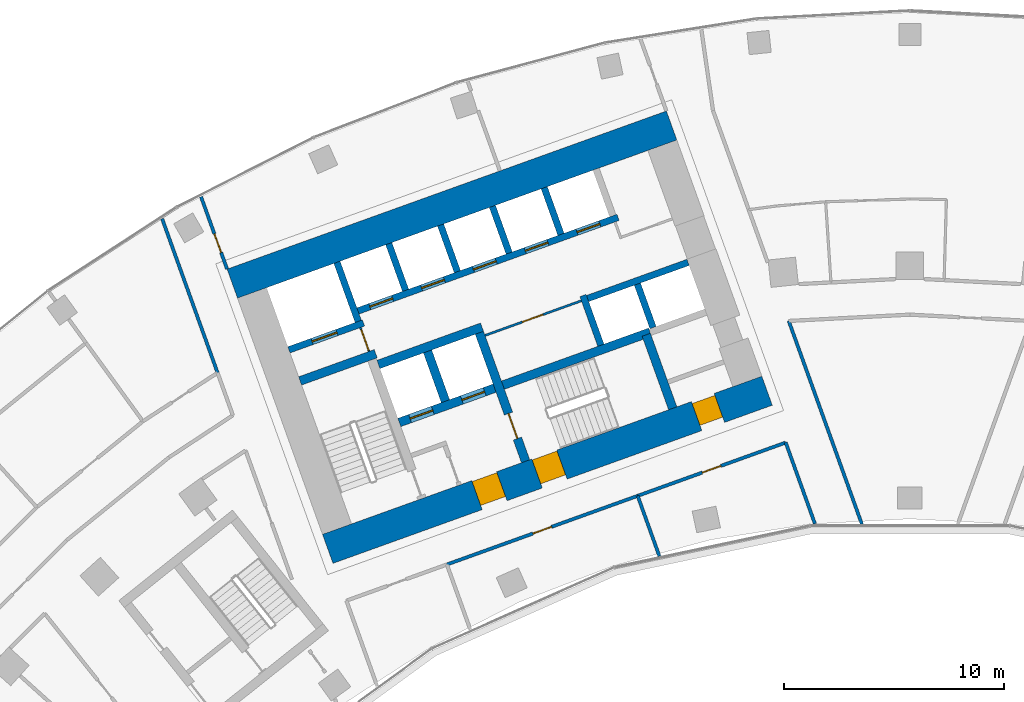
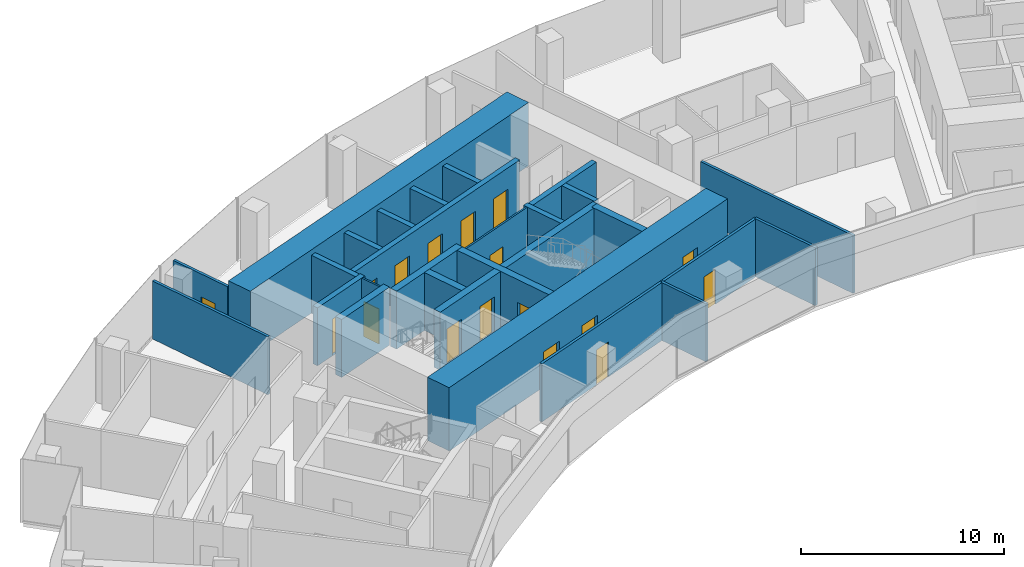
# One storey, part 14 of 20: 27 walls, 17 doors, 17 openings.
"""IFC4 building model written with IfcOpenShell, lengths in metres."""

from ifc_helpers import new_model, si_unit, direction, frame, frame_2d, origin, place, context, subcontext, project, spatial, rectangle, extrude, material, layer, layer_set, type_object, element, fill, save


model = new_model("IFC4")

# Units and contexts
model_context = context("Model", 3, precision=1e-05, world=origin(), true_north=direction((0.0, 1.0)))
body_context = subcontext(model_context, "Body", "Model", "MODEL_VIEW")
ifc_project = project(units=[si_unit("LENGTHUNIT", "METRE"), si_unit("AREAUNIT", "SQUARE_METRE"), si_unit("VOLUMEUNIT", "CUBIC_METRE"), si_unit("PLANEANGLEUNIT", "RADIAN"), si_unit("MASSUNIT", "GRAM", prefix="KILO")], contexts=[model_context])

# Site, building, storey
site_placement = place(None, origin())
site = spatial("IfcSite", under=ifc_project, at=site_placement, CompositionType="ELEMENT")
building_placement = place(site_placement, origin())
building = spatial("IfcBuilding", under=site, at=building_placement, Name="Stone Belt Terrace Tower", CompositionType="ELEMENT")
storey_placement = place(building_placement, frame((0.0, 0.0, 174.39990234375)))
storey = spatial("IfcBuildingStorey", under=building, at=storey_placement, Name="L42", CompositionType="ELEMENT", Elevation=174.39990234375)

# Wall, opening, door
ifc_material_1 = material(Name="Plasterboard partition")
ifc_layer_1 = layer(ifc_material_1, 0.10009765625)
ifc_layer_set_1 = layer_set([ifc_layer_1], Name="Core partition 100")
wall_type_1 = type_object("IfcWallType", Name="Core partition 100", PredefinedType="PARTITIONING", material=ifc_layer_set_1)
wall_1_placement = place(storey_placement, frame((-24.555908203125, 51.10400390625, 0.0), z_axis=(0.0, 0.0, 1.0), x_axis=(-0.338621735342, 0.94092258999, 0.0)))
wall_1 = element("IfcWall", 1, at=wall_1_placement, inside=storey, type_object=wall_type_1, Name="Core A wall", PredefinedType="PARTITIONING", context=body_context, shape_type="SweptSolid", body=[
    extrude(rectangle(XDim=1.14990234375, YDim=0.10009765625, at=frame_2d((0.574951171875, 0.0))), origin(), (0.0, 0.0, 1.0), 3.47998046875),
])
opening_1_placement = place(wall_1_placement, frame((0.050048828125, 0.0, 0.0)))
opening_1 = element("IfcOpeningElement", 2, at=opening_1_placement, cuts=wall_1, Name="Opening L42-C03", PredefinedType="OPENING", context=body_context, shape_type="SweptSolid", body=[
    extrude(rectangle(XDim=1.0, YDim=2.10009765625, at=frame_2d((0.5, 1.050048828125))), frame((0.0, 0.06005859375, 0.0), z_axis=(0.0, -1.0, 0.0), x_axis=(1.0, 0.0, 0.0)), (0.0, 0.0, 1.0), 0.1201171875),
])
ifc_material_2 = material(Name="Timber door leaf", Category="wood")
door_type_1 = type_object("IfcDoorType", Name="Core room door 1000", OperationType="SINGLE_SWING_LEFT", PredefinedType="DOOR", material=ifc_material_2)
door_1_placement = place(opening_1_placement, origin())
door_1 = element("IfcDoor", 3, at=door_1_placement, inside=storey, type_object=door_type_1, Name="Service lift lobby door core A", OperationType="SINGLE_SWING_LEFT", OverallHeight=2.10009765625, OverallWidth=1.0, PredefinedType="DOOR", context=body_context, shape_type="SweptSolid", body=[
    extrude(rectangle(XDim=1.0, YDim=2.10009765625, at=frame_2d((0.5, 1.050048828125))), frame((0.0, 0.02490234375, 0.0), z_axis=(0.0, -1.0, 0.0), x_axis=(1.0, 0.0, 0.0)), (0.0, 0.0, 1.0), 0.050048828125),
])
fill(opening_1, door_1)

wall_2_placement = place(storey_placement, frame((-19.29052734375, 51.829833984375, 0.0), z_axis=(0.0, 0.0, 1.0), x_axis=(0.940930240745, 0.338600475563, 0.0)))
wall_2 = element("IfcWall", 4, at=wall_2_placement, inside=storey, type_object=wall_type_1, Name="Core A wall", PredefinedType="PARTITIONING", context=body_context, shape_type="SweptSolid", body=[
    extrude(rectangle(XDim=4.64990234375, YDim=0.10009765625, at=frame_2d((2.324951171875, 0.0))), origin(), (0.0, 0.0, 1.0), 3.47998046875),
])
opening_2_placement = place(wall_2_placement, frame((1.800048828125, 0.0, 0.0)))
opening_2 = element("IfcOpeningElement", 5, at=opening_2_placement, cuts=wall_2, Name="Opening L42-C02", PredefinedType="OPENING", context=body_context, shape_type="SweptSolid", body=[
    extrude(rectangle(XDim=1.0, YDim=2.10009765625, at=frame_2d((0.5, 1.050048828125))), frame((0.0, 0.06005859375, 0.0), z_axis=(0.0, -1.0, 0.0), x_axis=(1.0, 0.0, 0.0)), (0.0, 0.0, 1.0), 0.1201171875),
])
door_2_placement = place(opening_2_placement, origin())
door_2 = element("IfcDoor", 6, at=door_2_placement, inside=storey, type_object=door_type_1, Name="Door to Staff pantry core A", OperationType="SINGLE_SWING_LEFT", OverallHeight=2.10009765625, OverallWidth=1.0, PredefinedType="DOOR", context=body_context, shape_type="SweptSolid", body=[
    extrude(rectangle(XDim=1.0, YDim=2.10009765625, at=frame_2d((0.5, 1.050048828125))), frame((0.0, 0.02490234375, 0.0), z_axis=(0.0, -1.0, 0.0), x_axis=(1.0, 0.0, 0.0)), (0.0, 0.0, 1.0), 0.050048828125),
])
fill(opening_2, door_2)

# Wall, openings, doors
ifc_material_3 = material(Name="Concrete B80", Category="concrete")
ifc_layer_2 = layer(ifc_material_3, 1.39990234375)
ifc_layer_set_2 = layer_set([ifc_layer_2], Name="Core wall 1400 B80")
wall_type_2 = type_object("IfcWallType", Name="Core wall 1400 B80", PredefinedType="SHEAR", material=ifc_layer_set_2)
wall_3_placement = place(storey_placement, frame((-26.430908203125, 42.139404296875, 0.0), z_axis=(0.0, 0.0, 1.0), x_axis=(0.940923374003, 0.33861955681, 0.0)))
wall_3 = element("IfcWall", 7, at=wall_3_placement, inside=storey, type_object=wall_type_2, Name="Core A wall concave L42", PredefinedType="SHEAR", context=body_context, shape_type="SweptSolid", body=[
    extrude(rectangle(XDim=21.199951171875, YDim=1.39990234375, at=frame_2d((10.60009765625, 0.0))), origin(), (0.0, 0.0, 1.0), 3.800048828125),
])
opening_3_placement = place(wall_3_placement, frame((7.199951171875, 0.0, 0.0)))
opening_3 = element("IfcOpeningElement", 8, at=opening_3_placement, cuts=wall_3, Name="Opening L42-C07", PredefinedType="OPENING", context=body_context, shape_type="SweptSolid", body=[
    extrude(rectangle(XDim=1.199951171875, YDim=2.10009765625, at=frame_2d((0.60009765625, 1.050048828125))), frame((0.0, 0.7099609375, 0.0), z_axis=(0.0, -1.0, 0.0), x_axis=(1.0, 0.0, 0.0)), (0.0, 0.0, 1.0), 1.419921875),
])
opening_4_placement = place(wall_3_placement, frame((10.099853515625, 0.0, 0.0)))
opening_4 = element("IfcOpeningElement", 9, at=opening_4_placement, cuts=wall_3, Name="Opening L42-C09", PredefinedType="OPENING", context=body_context, shape_type="SweptSolid", body=[
    extrude(rectangle(XDim=1.199951171875, YDim=2.10009765625, at=frame_2d((0.60009765625, 1.050048828125))), frame((0.0, 0.7099609375, 0.0), z_axis=(0.0, -1.0, 0.0), x_axis=(1.0, 0.0, 0.0)), (0.0, 0.0, 1.0), 1.419921875),
])
opening_5_placement = place(wall_3_placement, frame((17.800048828125, 0.0, 0.0)))
opening_5 = element("IfcOpeningElement", 10, at=opening_5_placement, cuts=wall_3, Name="Opening L42-C11", PredefinedType="OPENING", context=body_context, shape_type="SweptSolid", body=[
    extrude(rectangle(XDim=1.10009765625, YDim=2.10009765625, at=frame_2d((0.550048828125, 1.050048828125))), frame((0.0, 0.7099609375, 0.0), z_axis=(0.0, -1.0, 0.0), x_axis=(1.0, 0.0, 0.0)), (0.0, 0.0, 1.0), 1.419921875),
])
door_type_2 = type_object("IfcDoorType", Name="Core room door 1100", OperationType="SINGLE_SWING_LEFT", PredefinedType="DOOR", material=ifc_material_2)
door_3_placement = place(opening_5_placement, origin())
door_3 = element("IfcDoor", 11, at=door_3_placement, inside=storey, type_object=door_type_2, Name="Door to Pipe riser core A", OperationType="SINGLE_SWING_LEFT", OverallHeight=2.10009765625, OverallWidth=1.10009765625, PredefinedType="DOOR", context=body_context, shape_type="SweptSolid", body=[
    extrude(rectangle(XDim=1.10009765625, YDim=2.10009765625, at=frame_2d((0.550048828125, 1.050048828125))), frame((0.0, 0.60498046875, 0.0), z_axis=(0.0, -1.0, 0.0), x_axis=(1.0, 0.0, 0.0)), (0.0, 0.0, 1.0), 1.050048828125),
])
fill(opening_5, door_3)
ifc_material_4 = material(Name="Steel door leaf", Category="steel")
door_type_3 = type_object("IfcDoorType", Name="Fire-fighting lobby door 1200", OperationType="SINGLE_SWING_LEFT", PredefinedType="DOOR", material=ifc_material_4)
door_4_placement = place(opening_3_placement, origin())
door_4 = element("IfcDoor", 12, at=door_4_placement, inside=storey, type_object=door_type_3, Name="Fire-fighting lobby door core A", OperationType="SINGLE_SWING_LEFT", OverallHeight=2.10009765625, OverallWidth=1.199951171875, PredefinedType="DOOR", context=body_context, shape_type="SweptSolid", body=[
    extrude(rectangle(XDim=1.199951171875, YDim=2.10009765625, at=frame_2d((0.60009765625, 1.050048828125))), frame((0.0, 0.655029296875, 0.0), z_axis=(0.0, -1.0, 0.0), x_axis=(1.0, 0.0, 0.0)), (0.0, 0.0, 1.0), 1.14990234375),
])
fill(opening_3, door_4)
door_type_4 = type_object("IfcDoorType", Name="Stair door 1200", OperationType="SINGLE_SWING_LEFT", PredefinedType="DOOR", material=ifc_material_4)
door_5_placement = place(opening_4_placement, origin())
door_5 = element("IfcDoor", 13, at=door_5_placement, inside=storey, type_object=door_type_4, Name="Stair 2 exit door core A", OperationType="SINGLE_SWING_RIGHT", OverallHeight=2.10009765625, OverallWidth=1.199951171875, PredefinedType="DOOR", context=body_context, shape_type="SweptSolid", body=[
    extrude(rectangle(XDim=1.199951171875, YDim=2.10009765625, at=frame_2d((0.60009765625, 1.050048828125))), frame((0.0, 0.655029296875, 0.0), z_axis=(0.0, -1.0, 0.0), x_axis=(1.0, 0.0, 0.0)), (0.0, 0.0, 1.0), 1.14990234375),
])
fill(opening_4, door_5)

# Walls
wall_4_placement = place(storey_placement, frame((-30.765380859375, 54.18310546875, 0.0), z_axis=(0.0, 0.0, 1.0), x_axis=(0.940919704758, 0.338629752382, 0.0)))
element("IfcWall", 14, at=wall_4_placement, inside=storey, type_object=wall_type_2, Name="Core A wall convex L42", PredefinedType="SHEAR", context=body_context, shape_type="SweptSolid", body=[
    extrude(rectangle(XDim=21.199951171875, YDim=1.39990234375, at=frame_2d((10.60009765625, 0.0))), origin(), (0.0, 0.0, 1.0), 3.800048828125),
])
ifc_layer_3 = layer(ifc_material_3, 0.39990234375)
ifc_layer_set_3 = layer_set([ifc_layer_3], Name="Fire-fighting lift shaft wall 400")
wall_type_3 = type_object("IfcWallType", Name="Fire-fighting lift shaft wall 400", PredefinedType="SHEAR", material=ifc_layer_set_3)
wall_5_placement = place(storey_placement, frame((-24.130615234375, 50.512939453125, 0.0), z_axis=(0.0, 0.0, 1.0), x_axis=(0.94091168377, 0.338652038744, 0.0)))
element("IfcWall", 15, at=wall_5_placement, inside=storey, type_object=wall_type_3, Name="Core A wall", PredefinedType="SHEAR", context=body_context, shape_type="SweptSolid", body=[
    extrude(rectangle(XDim=5.000244140625, YDim=0.39990234375, at=frame_2d((2.5, 0.0))), origin(), (0.0, 0.0, 1.0), 3.47998046875),
])
wall_6_placement = place(storey_placement, frame((-21.0859375, 48.845458984375, 0.0), z_axis=(0.0, 0.0, 1.0), x_axis=(-0.338629416206, 0.940919825745, 0.0)))
element("IfcWall", 16, at=wall_6_placement, inside=storey, type_object=wall_type_3, Name="Core A wall", PredefinedType="SHEAR", context=body_context, shape_type="SweptSolid", body=[
    extrude(rectangle(XDim=2.400146484375, YDim=0.39990234375, at=frame_2d((1.2001953125, 0.0))), origin(), (0.0, 0.0, 1.0), 3.47998046875),
])

# Wall, opening, door
ifc_layer_4 = layer(ifc_material_3, 0.300048828125)
ifc_layer_set_4 = layer_set([ifc_layer_4], Name="Lift shaft wall 300")
wall_type_4 = type_object("IfcWallType", Name="Lift shaft wall 300", PredefinedType="SHEAR", material=ifc_layer_set_4)
wall_7_placement = place(storey_placement, frame((-28.195068359375, 51.17578125, 0.0), z_axis=(0.0, 0.0, 1.0), x_axis=(0.940901243567, 0.338681044427, 0.0)))
wall_7 = element("IfcWall", 17, at=wall_7_placement, inside=storey, type_object=wall_type_4, Name="Core A wall", PredefinedType="SHEAR", context=body_context, shape_type="SweptSolid", body=[
    extrude(rectangle(XDim=3.599853515625, YDim=0.300048828125, at=frame_2d((1.7998046875, 0.0))), origin(), (0.0, 0.0, 1.0), 3.47998046875),
])
opening_6_placement = place(wall_7_placement, frame((1.1201171875, 0.0, 0.0)))
opening_6 = element("IfcOpeningElement", 18, at=opening_6_placement, cuts=wall_7, Name="Opening L42-LD08", PredefinedType="OPENING", context=body_context, shape_type="SweptSolid", body=[
    extrude(rectangle(XDim=1.199951171875, YDim=2.199951171875, at=frame_2d((0.60009765625, 1.10009765625))), frame((0.0, 0.159912109375, 0.0), z_axis=(0.0, -1.0, 0.0), x_axis=(1.0, 0.0, 0.0)), (0.0, 0.0, 1.0), 0.320068359375),
])
ifc_material_5 = material(Name="Stainless steel door leaf", Category="steel")
door_type_5 = type_object("IfcDoorType", Name="Landing door 1200", OperationType="SLIDING_TO_LEFT", PredefinedType="DOOR", material=ifc_material_5)
door_6_placement = place(opening_6_placement, origin())
door_6 = element("IfcDoor", 19, at=door_6_placement, inside=storey, type_object=door_type_5, Name="Landing door SV1 core A", OperationType="SLIDING_TO_LEFT", OverallHeight=2.199951171875, OverallWidth=1.199951171875, PredefinedType="DOOR", context=body_context, shape_type="SweptSolid", body=[
    extrude(rectangle(XDim=1.199951171875, YDim=2.199951171875, at=frame_2d((0.60009765625, 1.10009765625))), frame((0.0, 0.02490234375, 0.0), z_axis=(0.0, -1.0, 0.0), x_axis=(1.0, 0.0, 0.0)), (0.0, 0.0, 1.0), 0.050048828125),
])
fill(opening_6, door_6)

# Wall
wall_8_placement = place(storey_placement, frame((-25.046875, 52.46826171875, 0.0), z_axis=(0.0, 0.0, 1.0), x_axis=(-0.338549588058, 0.940948551423, 0.0)))
element("IfcWall", 20, at=wall_8_placement, inside=storey, type_object=wall_type_4, Name="Core A wall", PredefinedType="SHEAR", context=body_context, shape_type="SweptSolid", body=[
    extrude(rectangle(XDim=2.849853515625, YDim=0.300048828125, at=frame_2d((1.4248046875, 0.0))), origin(), (0.0, 0.0, 1.0), 3.47998046875),
])

# Wall, openings, doors
wall_9_placement = place(storey_placement, frame((-25.05810546875, 52.9423828125, 0.0), z_axis=(0.0, 0.0, 1.0), x_axis=(0.940921381676, 0.338625092847, 0.0)))
wall_9 = element("IfcWall", 21, at=wall_9_placement, inside=storey, type_object=wall_type_4, Name="Core A wall", PredefinedType="SHEAR", context=body_context, shape_type="SweptSolid", body=[
    extrude(rectangle(XDim=12.550048828125, YDim=0.300048828125, at=frame_2d((6.27490234375, 0.0))), origin(), (0.0, 0.0, 1.0), 3.47998046875),
])
opening_7_placement = place(wall_9_placement, frame((0.570068359375, 0.0, 0.0)))
opening_7 = element("IfcOpeningElement", 22, at=opening_7_placement, cuts=wall_9, Name="Opening L42-LD01", PredefinedType="OPENING", context=body_context, shape_type="SweptSolid", body=[
    extrude(rectangle(XDim=1.10009765625, YDim=2.199951171875, at=frame_2d((0.550048828125, 1.10009765625))), frame((0.0, 0.159912109375, 0.0), z_axis=(0.0, -1.0, 0.0), x_axis=(1.0, 0.0, 0.0)), (0.0, 0.0, 1.0), 0.320068359375),
])
opening_8_placement = place(wall_9_placement, frame((3.070068359375, 0.0, 0.0)))
opening_8 = element("IfcOpeningElement", 23, at=opening_8_placement, cuts=wall_9, Name="Opening L42-LD02", PredefinedType="OPENING", context=body_context, shape_type="SweptSolid", body=[
    extrude(rectangle(XDim=1.10009765625, YDim=2.199951171875, at=frame_2d((0.550048828125, 1.10009765625))), frame((0.0, 0.159912109375, 0.0), z_axis=(0.0, -1.0, 0.0), x_axis=(1.0, 0.0, 0.0)), (0.0, 0.0, 1.0), 0.320068359375),
])
opening_9_placement = place(wall_9_placement, frame((5.570068359375, 0.0, 0.0)))
opening_9 = element("IfcOpeningElement", 24, at=opening_9_placement, cuts=wall_9, Name="Opening L42-LD03", PredefinedType="OPENING", context=body_context, shape_type="SweptSolid", body=[
    extrude(rectangle(XDim=1.10009765625, YDim=2.199951171875, at=frame_2d((0.550048828125, 1.10009765625))), frame((0.0, 0.159912109375, 0.0), z_axis=(0.0, -1.0, 0.0), x_axis=(1.0, 0.0, 0.0)), (0.0, 0.0, 1.0), 0.320068359375),
])
opening_10_placement = place(wall_9_placement, frame((8.070068359375, 0.0, 0.0)))
opening_10 = element("IfcOpeningElement", 25, at=opening_10_placement, cuts=wall_9, Name="Opening L42-LD04", PredefinedType="OPENING", context=body_context, shape_type="SweptSolid", body=[
    extrude(rectangle(XDim=1.10009765625, YDim=2.199951171875, at=frame_2d((0.550048828125, 1.10009765625))), frame((0.0, 0.159912109375, 0.0), z_axis=(0.0, -1.0, 0.0), x_axis=(1.0, 0.0, 0.0)), (0.0, 0.0, 1.0), 0.320068359375),
])
opening_11_placement = place(wall_9_placement, frame((10.570068359375, 0.0, 0.0)))
opening_11 = element("IfcOpeningElement", 26, at=opening_11_placement, cuts=wall_9, Name="Opening L42-LD05", PredefinedType="OPENING", context=body_context, shape_type="SweptSolid", body=[
    extrude(rectangle(XDim=1.10009765625, YDim=2.199951171875, at=frame_2d((0.550048828125, 1.10009765625))), frame((0.0, 0.159912109375, 0.0), z_axis=(0.0, -1.0, 0.0), x_axis=(1.0, 0.0, 0.0)), (0.0, 0.0, 1.0), 0.320068359375),
])
door_type_6 = type_object("IfcDoorType", Name="Landing door 1100", OperationType="SLIDING_TO_LEFT", PredefinedType="DOOR", material=ifc_material_5)
door_7_placement = place(opening_7_placement, origin())
door_7 = element("IfcDoor", 27, at=door_7_placement, inside=storey, type_object=door_type_6, Name="Landing door MR1 core A", OperationType="SLIDING_TO_LEFT", OverallHeight=2.199951171875, OverallWidth=1.10009765625, PredefinedType="DOOR", context=body_context, shape_type="SweptSolid", body=[
    extrude(rectangle(XDim=1.10009765625, YDim=2.199951171875, at=frame_2d((0.550048828125, 1.10009765625))), frame((0.0, 0.02490234375, 0.0), z_axis=(0.0, -1.0, 0.0), x_axis=(1.0, 0.0, 0.0)), (0.0, 0.0, 1.0), 0.050048828125),
])
fill(opening_7, door_7)
door_8_placement = place(opening_8_placement, origin())
door_8 = element("IfcDoor", 28, at=door_8_placement, inside=storey, type_object=door_type_6, Name="Landing door MR2 core A", OperationType="SLIDING_TO_LEFT", OverallHeight=2.199951171875, OverallWidth=1.10009765625, PredefinedType="DOOR", context=body_context, shape_type="SweptSolid", body=[
    extrude(rectangle(XDim=1.10009765625, YDim=2.199951171875, at=frame_2d((0.550048828125, 1.10009765625))), frame((0.0, 0.02490234375, 0.0), z_axis=(0.0, -1.0, 0.0), x_axis=(1.0, 0.0, 0.0)), (0.0, 0.0, 1.0), 0.050048828125),
])
fill(opening_8, door_8)
door_9_placement = place(opening_9_placement, origin())
door_9 = element("IfcDoor", 29, at=door_9_placement, inside=storey, type_object=door_type_6, Name="Landing door MR3 core A", OperationType="SLIDING_TO_LEFT", OverallHeight=2.199951171875, OverallWidth=1.10009765625, PredefinedType="DOOR", context=body_context, shape_type="SweptSolid", body=[
    extrude(rectangle(XDim=1.10009765625, YDim=2.199951171875, at=frame_2d((0.550048828125, 1.10009765625))), frame((0.0, 0.02490234375, 0.0), z_axis=(0.0, -1.0, 0.0), x_axis=(1.0, 0.0, 0.0)), (0.0, 0.0, 1.0), 0.050048828125),
])
fill(opening_9, door_9)
door_10_placement = place(opening_10_placement, origin())
door_10 = element("IfcDoor", 30, at=door_10_placement, inside=storey, type_object=door_type_6, Name="Landing door MR4 core A", OperationType="SLIDING_TO_LEFT", OverallHeight=2.199951171875, OverallWidth=1.10009765625, PredefinedType="DOOR", context=body_context, shape_type="SweptSolid", body=[
    extrude(rectangle(XDim=1.10009765625, YDim=2.199951171875, at=frame_2d((0.550048828125, 1.10009765625))), frame((0.0, 0.02490234375, 0.0), z_axis=(0.0, -1.0, 0.0), x_axis=(1.0, 0.0, 0.0)), (0.0, 0.0, 1.0), 0.050048828125),
])
fill(opening_10, door_10)
door_11_placement = place(opening_11_placement, origin())
door_11 = element("IfcDoor", 31, at=door_11_placement, inside=storey, type_object=door_type_6, Name="Landing door MR5 core A", OperationType="SLIDING_TO_LEFT", OverallHeight=2.199951171875, OverallWidth=1.10009765625, PredefinedType="DOOR", context=body_context, shape_type="SweptSolid", body=[
    extrude(rectangle(XDim=1.10009765625, YDim=2.199951171875, at=frame_2d((0.550048828125, 1.10009765625))), frame((0.0, 0.02490234375, 0.0), z_axis=(0.0, -1.0, 0.0), x_axis=(1.0, 0.0, 0.0)), (0.0, 0.0, 1.0), 0.050048828125),
])
fill(opening_11, door_11)

# Walls
wall_10_placement = place(storey_placement, frame((-22.897705078125, 53.87939453125, 0.0), z_axis=(0.0, 0.0, 1.0), x_axis=(-0.338535034312, 0.940953787677, 0.0)))
element("IfcWall", 32, at=wall_10_placement, inside=storey, type_object=wall_type_4, Name="Core A wall", PredefinedType="SHEAR", context=body_context, shape_type="SweptSolid", body=[
    extrude(rectangle(XDim=2.25, YDim=0.300048828125, at=frame_2d((1.125, 0.0))), origin(), (0.0, 0.0, 1.0), 3.47998046875),
])
wall_11_placement = place(storey_placement, frame((-20.54541015625, 54.72607421875, 0.0), z_axis=(0.0, 0.0, 1.0), x_axis=(-0.338569601369, 0.940941350472, 0.0)))
element("IfcWall", 33, at=wall_11_placement, inside=storey, type_object=wall_type_4, Name="Core A wall", PredefinedType="SHEAR", context=body_context, shape_type="SweptSolid", body=[
    extrude(rectangle(XDim=2.249755859375, YDim=0.300048828125, at=frame_2d((1.125, 0.0))), origin(), (0.0, 0.0, 1.0), 3.47998046875),
])
wall_12_placement = place(storey_placement, frame((-18.193115234375, 55.572509765625, 0.0), z_axis=(0.0, 0.0, 1.0), x_axis=(-0.338535034312, 0.940953787677, 0.0)))
element("IfcWall", 34, at=wall_12_placement, inside=storey, type_object=wall_type_4, Name="Core A wall", PredefinedType="SHEAR", context=body_context, shape_type="SweptSolid", body=[
    extrude(rectangle(XDim=2.25, YDim=0.300048828125, at=frame_2d((1.125, 0.0))), origin(), (0.0, 0.0, 1.0), 3.47998046875),
])
wall_13_placement = place(storey_placement, frame((-14.029052734375, 51.38525390625, 0.0), z_axis=(0.0, 0.0, 1.0), x_axis=(-0.338661829791, 0.940908159728, 0.0)))
element("IfcWall", 35, at=wall_13_placement, inside=storey, type_object=wall_type_4, Name="Core A wall", PredefinedType="SHEAR", context=body_context, shape_type="SweptSolid", body=[
    extrude(rectangle(XDim=2.39990234375, YDim=0.300048828125, at=frame_2d((1.199951171875, 0.0))), origin(), (0.0, 0.0, 1.0), 3.47998046875),
])
wall_14_placement = place(storey_placement, frame((-14.6328125, 53.506103515625, 0.0), z_axis=(0.0, 0.0, 1.0), x_axis=(0.940931684323, 0.338596464007, 0.0)))
element("IfcWall", 36, at=wall_14_placement, inside=storey, type_object=wall_type_4, Name="Core A wall", PredefinedType="SHEAR", context=body_context, shape_type="SweptSolid", body=[
    extrude(rectangle(XDim=4.849609375, YDim=0.300048828125, at=frame_2d((2.4248046875, 0.0))), origin(), (0.0, 0.0, 1.0), 3.47998046875),
])
wall_15_placement = place(storey_placement, frame((-15.8408203125, 56.419189453125, 0.0), z_axis=(0.0, 0.0, 1.0), x_axis=(-0.338569601369, 0.940941350472, 0.0)))
element("IfcWall", 37, at=wall_15_placement, inside=storey, type_object=wall_type_4, Name="Core A wall", PredefinedType="SHEAR", context=body_context, shape_type="SweptSolid", body=[
    extrude(rectangle(XDim=2.249755859375, YDim=0.300048828125, at=frame_2d((1.125, 0.0))), origin(), (0.0, 0.0, 1.0), 3.47998046875),
])
wall_16_placement = place(storey_placement, frame((-11.659912109375, 52.184814453125, 0.0), z_axis=(0.0, 0.0, 1.0), x_axis=(-0.338670064856, 0.940905195634, 0.0)))
element("IfcWall", 38, at=wall_16_placement, inside=storey, type_object=wall_type_4, Name="Core A wall", PredefinedType="SHEAR", context=body_context, shape_type="SweptSolid", body=[
    extrude(rectangle(XDim=2.099853515625, YDim=0.300048828125, at=frame_2d((1.0498046875, 0.0))), origin(), (0.0, 0.0, 1.0), 3.47998046875),
])

# Wall, opening, door
ifc_material_6 = material(Name="Gypsum board partition")
ifc_layer_5 = layer(ifc_material_6, 0.14990234375)
ifc_layer_set_5 = layer_set([ifc_layer_5], Name="PARTITION 150 EI 60")
wall_type_5 = type_object("IfcWallType", Name="PARTITION 150 EI 60", PredefinedType="PARTITIONING", material=ifc_layer_set_5)
wall_17_placement = place(storey_placement, frame((-32.185791015625, 58.131103515625, 0.0), z_axis=(0.0, 0.0, 1.0), x_axis=(0.338662585219, -0.940907887826, 0.0)))
wall_17 = element("IfcWall", 39, at=wall_17_placement, inside=storey, type_object=wall_type_5, Name="L42/wall/i002", PredefinedType="PARTITIONING", context=body_context, shape_type="SweptSolid", body=[
    extrude(rectangle(XDim=3.49560546875, YDim=0.14990234375, at=frame_2d((1.747802734375, 0.0))), origin(), (0.0, 0.0, 1.0), 3.47998046875),
])
opening_12_placement = place(wall_17_placement, frame((1.796630859375, 0.0, 0.0)))
opening_12 = element("IfcOpeningElement", 40, at=opening_12_placement, cuts=wall_17, Name="Opening D-C3-04", PredefinedType="OPENING", context=body_context, shape_type="SweptSolid", body=[
    extrude(rectangle(XDim=0.89990234375, YDim=2.10009765625, at=frame_2d((0.449951171875, 1.050048828125))), frame((0.0, 0.0849609375, 0.0), z_axis=(0.0, -1.0, 0.0), x_axis=(1.0, 0.0, 0.0)), (0.0, 0.0, 1.0), 0.169921875),
])
door_type_7 = type_object("IfcDoorType", Name="OFFICE DOOR 900 X 2100", OperationType="NOTDEFINED", PredefinedType="DOOR", material=ifc_material_2)
door_12_placement = place(opening_12_placement, origin())
door_12 = element("IfcDoor", 41, at=door_12_placement, inside=storey, type_object=door_type_7, Name="L42/door/i04", OperationType="SINGLE_SWING_RIGHT", OverallHeight=2.10009765625, OverallWidth=0.89990234375, PredefinedType="DOOR", context=body_context, shape_type="SweptSolid", body=[
    extrude(rectangle(XDim=0.89990234375, YDim=2.10009765625, at=frame_2d((0.449951171875, 1.050048828125))), frame((0.0, 0.02490234375, 0.0), z_axis=(0.0, -1.0, 0.0), x_axis=(1.0, 0.0, 0.0)), (0.0, 0.0, 1.0), 0.050048828125),
])
fill(opening_12, door_12)

# Walls
wall_18_placement = place(storey_placement, frame((-31.431884765625, 50.12890625, 0.0), z_axis=(0.0, 0.0, 1.0), x_axis=(-0.338627692375, 0.940920446136, 0.0)))
element("IfcWall", 42, at=wall_18_placement, inside=storey, type_object=wall_type_5, Name="L42/wall/i007", PredefinedType="PARTITIONING", context=body_context, shape_type="SweptSolid", body=[
    extrude(rectangle(XDim=7.44189453125, YDim=0.14990234375, at=frame_2d((3.720947265625, 0.0))), origin(), (0.0, 0.0, 1.0), 3.47998046875),
])
wall_19_placement = place(storey_placement, frame((-4.31005859375, 43.27880859375, 0.0), z_axis=(0.0, 0.0, 1.0), x_axis=(-0.338569683937, 0.940941320763, 0.0)))
element("IfcWall", 43, at=wall_19_placement, inside=storey, type_object=wall_type_5, Name="L42/wall/i008", PredefinedType="PARTITIONING", context=body_context, shape_type="SweptSolid", body=[
    extrude(rectangle(XDim=3.9248046875, YDim=0.14990234375, at=frame_2d((1.96240234375, 0.0))), origin(), (0.0, 0.0, 1.0), 3.47998046875),
])
wall_20_placement = place(storey_placement, frame((-5.5009765625, 52.492919921875, 0.0), z_axis=(0.0, 0.0, 1.0), x_axis=(0.338654259988, -0.940910884299, 0.0)))
element("IfcWall", 44, at=wall_20_placement, inside=storey, type_object=wall_type_5, Name="L42/wall/i010", PredefinedType="PARTITIONING", context=body_context, shape_type="SweptSolid", body=[
    extrude(rectangle(XDim=9.81103515625, YDim=0.14990234375, at=frame_2d((4.905517578125, 0.0))), origin(), (0.0, 0.0, 1.0), 3.47998046875),
])

# Wall, opening, door
wall_21_placement = place(storey_placement, frame((-12.35302734375, 44.549072265625, 0.0), z_axis=(0.0, 0.0, 1.0), x_axis=(-0.940920151375, -0.338628511406, 0.0)))
wall_21 = element("IfcWall", 45, at=wall_21_placement, inside=storey, type_object=wall_type_5, Name="L42/wall/i015", PredefinedType="PARTITIONING", context=body_context, shape_type="SweptSolid", body=[
    extrude(rectangle(XDim=9.2197265625, YDim=0.14990234375, at=frame_2d((4.60986328125, 0.0))), origin(), (0.0, 0.0, 1.0), 3.47998046875),
])
opening_13_placement = place(wall_21_placement, frame((4.159912109375, 0.0, 0.0)))
opening_13 = element("IfcOpeningElement", 46, at=opening_13_placement, cuts=wall_21, Name="Opening D-C3-02", PredefinedType="OPENING", context=body_context, shape_type="SweptSolid", body=[
    extrude(rectangle(XDim=0.89990234375, YDim=2.10009765625, at=frame_2d((0.449951171875, 1.050048828125))), frame((0.0, 0.0849609375, 0.0), z_axis=(0.0, -1.0, 0.0), x_axis=(1.0, 0.0, 0.0)), (0.0, 0.0, 1.0), 0.169921875),
])
door_13_placement = place(opening_13_placement, origin())
door_13 = element("IfcDoor", 47, at=door_13_placement, inside=storey, type_object=door_type_7, Name="L42/door/i02", OperationType="SINGLE_SWING_RIGHT", OverallHeight=2.10009765625, OverallWidth=0.89990234375, PredefinedType="DOOR", context=body_context, shape_type="SweptSolid", body=[
    extrude(rectangle(XDim=0.89990234375, YDim=2.10009765625, at=frame_2d((0.449951171875, 1.050048828125))), frame((0.0, 0.02490234375, 0.0), z_axis=(0.0, -1.0, 0.0), x_axis=(1.0, 0.0, 0.0)), (0.0, 0.0, 1.0), 0.050048828125),
])
fill(opening_13, door_13)

wall_22_placement = place(storey_placement, frame((-5.636962890625, 46.966064453125, 0.0), z_axis=(0.0, 0.0, 1.0), x_axis=(-0.940929624634, -0.338602187658, 0.0)))
wall_22 = element("IfcWall", 48, at=wall_22_placement, inside=storey, type_object=wall_type_5, Name="L42/wall/i016", PredefinedType="PARTITIONING", context=body_context, shape_type="SweptSolid", body=[
    extrude(rectangle(XDim=7.150390625, YDim=0.14990234375, at=frame_2d((3.5751953125, 0.0))), origin(), (0.0, 0.0, 1.0), 3.47998046875),
])
opening_14_placement = place(wall_22_placement, frame((3.125244140625, 0.0, 0.0)))
opening_14 = element("IfcOpeningElement", 49, at=opening_14_placement, cuts=wall_22, Name="Opening D-C3-03", PredefinedType="OPENING", context=body_context, shape_type="SweptSolid", body=[
    extrude(rectangle(XDim=0.89990234375, YDim=2.10009765625, at=frame_2d((0.449951171875, 1.050048828125))), frame((0.0, 0.0849609375, 0.0), z_axis=(0.0, -1.0, 0.0), x_axis=(1.0, 0.0, 0.0)), (0.0, 0.0, 1.0), 0.169921875),
])
door_14_placement = place(opening_14_placement, origin())
door_14 = element("IfcDoor", 50, at=door_14_placement, inside=storey, type_object=door_type_7, Name="L42/door/i03", OperationType="SINGLE_SWING_RIGHT", OverallHeight=2.10009765625, OverallWidth=0.89990234375, PredefinedType="DOOR", context=body_context, shape_type="SweptSolid", body=[
    extrude(rectangle(XDim=0.89990234375, YDim=2.10009765625, at=frame_2d((0.449951171875, 1.050048828125))), frame((0.0, 0.02490234375, 0.0), z_axis=(0.0, -1.0, 0.0), x_axis=(1.0, 0.0, 0.0)), (0.0, 0.0, 1.0), 0.050048828125),
])
fill(opening_14, door_14)

# Walls
wall_23_placement = place(storey_placement, frame((-12.35888671875, 44.547119140625, 0.0), z_axis=(0.0, 0.0, 1.0), x_axis=(0.338478671249, -0.940974063994, 0.0)))
element("IfcWall", 51, at=wall_23_placement, inside=storey, type_object=wall_type_5, Name="L42/wall/i018", PredefinedType="PARTITIONING", context=body_context, shape_type="SweptSolid", body=[
    extrude(rectangle(XDim=2.908203125, YDim=0.14990234375, at=frame_2d((1.4541015625, 0.0))), origin(), (0.0, 0.0, 1.0), 3.47998046875),
])
ifc_layer_6 = layer(ifc_material_3, 0.39990234375)
ifc_layer_set_6 = layer_set([ifc_layer_6], Name="Stair enclosure wall 400")
wall_type_6 = type_object("IfcWallType", Name="Stair enclosure wall 400", PredefinedType="SHEAR", material=ifc_layer_set_6)
wall_24_placement = place(storey_placement, frame((-27.687255859375, 49.764404296875, 0.0), z_axis=(0.0, 0.0, 1.0), x_axis=(0.940918954884, 0.338631835981, 0.0)))
element("IfcWall", 52, at=wall_24_placement, inside=storey, type_object=wall_type_6, Name="Core A wall", PredefinedType="SHEAR", context=body_context, shape_type="SweptSolid", body=[
    extrude(rectangle(XDim=3.650146484375, YDim=0.39990234375, at=frame_2d((1.8251953125, 0.0))), origin(), (0.0, 0.0, 1.0), 3.47998046875),
])

# Wall, openings, doors
wall_25_placement = place(storey_placement, frame((-23.182373046875, 47.87841796875, 0.0), z_axis=(0.0, 0.0, 1.0), x_axis=(0.940921101762, 0.338625870628, 0.0)))
wall_25 = element("IfcWall", 53, at=wall_25_placement, inside=storey, type_object=wall_type_6, Name="Core A wall", PredefinedType="SHEAR", context=body_context, shape_type="SweptSolid", body=[
    extrude(rectangle(XDim=12.10009765625, YDim=0.39990234375, at=frame_2d((6.050048828125, 0.0))), origin(), (0.0, 0.0, 1.0), 3.47998046875),
])
opening_15_placement = place(wall_25_placement, frame((0.52001953125, 0.0, 0.0)))
opening_15 = element("IfcOpeningElement", 54, at=opening_15_placement, cuts=wall_25, Name="Opening L42-LD06", PredefinedType="OPENING", context=body_context, shape_type="SweptSolid", body=[
    extrude(rectangle(XDim=1.10009765625, YDim=2.199951171875, at=frame_2d((0.550048828125, 1.10009765625))), frame((0.0, 0.2099609375, 0.0), z_axis=(0.0, -1.0, 0.0), x_axis=(1.0, 0.0, 0.0)), (0.0, 0.0, 1.0), 0.419921875),
])
opening_16_placement = place(wall_25_placement, frame((3.02001953125, 0.0, 0.0)))
opening_16 = element("IfcOpeningElement", 55, at=opening_16_placement, cuts=wall_25, Name="Opening L42-LD07", PredefinedType="OPENING", context=body_context, shape_type="SweptSolid", body=[
    extrude(rectangle(XDim=1.10009765625, YDim=2.199951171875, at=frame_2d((0.550048828125, 1.10009765625))), frame((0.0, 0.2099609375, 0.0), z_axis=(0.0, -1.0, 0.0), x_axis=(1.0, 0.0, 0.0)), (0.0, 0.0, 1.0), 0.419921875),
])
door_15_placement = place(opening_15_placement, origin())
door_15 = element("IfcDoor", 56, at=door_15_placement, inside=storey, type_object=door_type_6, Name="Landing door FF1 core A", OperationType="SLIDING_TO_LEFT", OverallHeight=2.199951171875, OverallWidth=1.10009765625, PredefinedType="DOOR", context=body_context, shape_type="SweptSolid", body=[
    extrude(rectangle(XDim=1.10009765625, YDim=2.199951171875, at=frame_2d((0.550048828125, 1.10009765625))), frame((0.0, 0.02490234375, 0.0), z_axis=(0.0, -1.0, 0.0), x_axis=(1.0, 0.0, 0.0)), (0.0, 0.0, 1.0), 0.050048828125),
])
fill(opening_15, door_15)
door_16_placement = place(opening_16_placement, origin())
door_16 = element("IfcDoor", 57, at=door_16_placement, inside=storey, type_object=door_type_6, Name="Landing door FF2 core A", OperationType="SLIDING_TO_LEFT", OverallHeight=2.199951171875, OverallWidth=1.10009765625, PredefinedType="DOOR", context=body_context, shape_type="SweptSolid", body=[
    extrude(rectangle(XDim=1.10009765625, YDim=2.199951171875, at=frame_2d((0.550048828125, 1.10009765625))), frame((0.0, 0.02490234375, 0.0), z_axis=(0.0, -1.0, 0.0), x_axis=(1.0, 0.0, 0.0)), (0.0, 0.0, 1.0), 0.050048828125),
])
fill(opening_16, door_16)

# Wall, opening, door
wall_26_placement = place(storey_placement, frame((-17.447021484375, 46.116455078125, 0.0), z_axis=(0.0, 0.0, 1.0), x_axis=(-0.33860791464, 0.940927563707, 0.0)))
wall_26 = element("IfcWall", 58, at=wall_26_placement, inside=storey, type_object=wall_type_6, Name="Core A wall", PredefinedType="SHEAR", context=body_context, shape_type="SweptSolid", body=[
    extrude(rectangle(XDim=6.199951171875, YDim=0.39990234375, at=frame_2d((3.10009765625, 0.0))), origin(), (0.0, 0.0, 1.0), 3.47998046875),
])
opening_17_placement = place(wall_26_placement, frame((1.10009765625, 0.0, 0.0)))
opening_17 = element("IfcOpeningElement", 59, at=opening_17_placement, cuts=wall_26, Name="Opening L42-C08", PredefinedType="OPENING", context=body_context, shape_type="SweptSolid", body=[
    extrude(rectangle(XDim=1.199951171875, YDim=2.10009765625, at=frame_2d((0.60009765625, 1.050048828125))), frame((0.0, 0.2099609375, 0.0), z_axis=(0.0, -1.0, 0.0), x_axis=(1.0, 0.0, 0.0)), (0.0, 0.0, 1.0), 0.419921875),
])
door_17_placement = place(opening_17_placement, origin())
door_17 = element("IfcDoor", 60, at=door_17_placement, inside=storey, type_object=door_type_4, Name="Stair 2 door core A", OperationType="SINGLE_SWING_LEFT", OverallHeight=2.10009765625, OverallWidth=1.199951171875, PredefinedType="DOOR", context=body_context, shape_type="SweptSolid", body=[
    extrude(rectangle(XDim=1.199951171875, YDim=2.10009765625, at=frame_2d((0.60009765625, 1.050048828125))), frame((0.0, 0.02490234375, 0.0), z_axis=(0.0, -1.0, 0.0), x_axis=(1.0, 0.0, 0.0)), (0.0, 0.0, 1.0), 0.050048828125),
])
fill(opening_17, door_17)

# Wall
wall_27_placement = place(storey_placement, frame((-10.766357421875, 48.520751953125, 0.0), z_axis=(0.0, 0.0, 1.0), x_axis=(-0.338626928157, 0.94092072117, 0.0)))
element("IfcWall", 61, at=wall_27_placement, inside=storey, type_object=wall_type_6, Name="Core A wall", PredefinedType="SHEAR", context=body_context, shape_type="SweptSolid", body=[
    extrude(rectangle(XDim=3.550048828125, YDim=0.39990234375, at=frame_2d((1.77490234375, 0.0))), origin(), (0.0, 0.0, 1.0), 3.47998046875),
])

save(model, "model.ifc")
